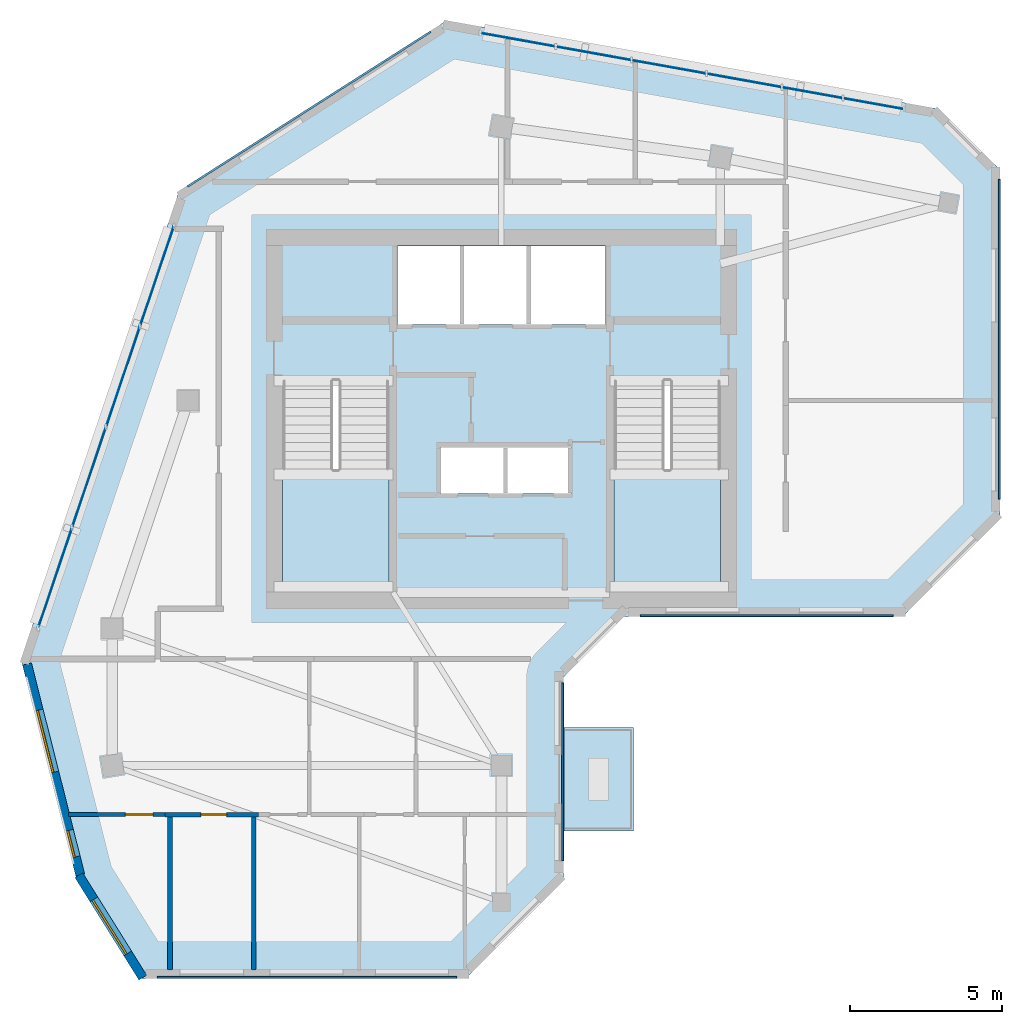
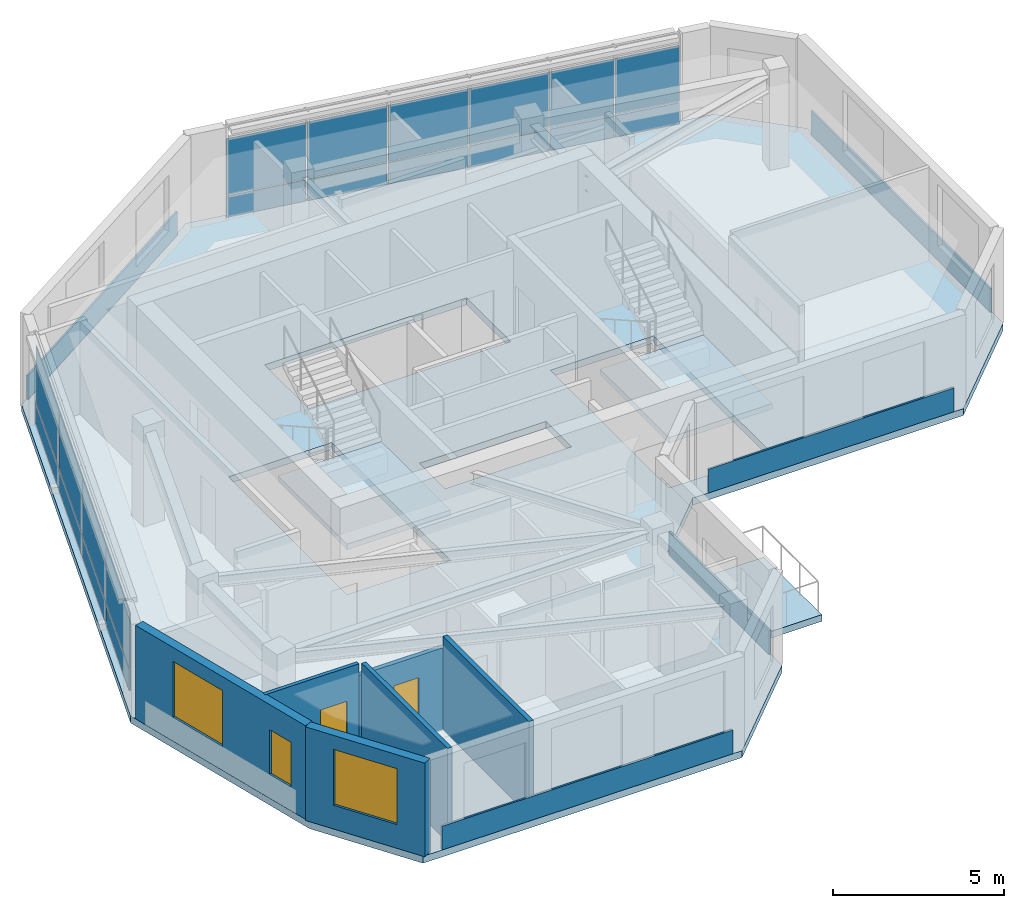
# One storey, part 2 of 8: 25 plates, 6 walls, 4 slabs, 3 windows, 2 doors, 5 openings, 4 elements without a shape of their own.
"""IFC4 building model written with IfcOpenShell, lengths in metres."""

from ifc_helpers import new_model, si_unit, direction, frame, frame_2d, origin, place, context, subcontext, project, spatial, polyline, rectangle, outline, extrude, source, transform, mapped, material, layer, layer_set, type_object, element, fill, aggregate, save


model = new_model("IFC4")

# Units and contexts
model_context = context("Model", 3, precision=1e-05, world=origin(), true_north=direction((0.0, 1.0)))
body_context = subcontext(model_context, "Body", "Model", "MODEL_VIEW")
ifc_project = project(units=[si_unit("LENGTHUNIT", "METRE"), si_unit("AREAUNIT", "SQUARE_METRE"), si_unit("VOLUMEUNIT", "CUBIC_METRE"), si_unit("PLANEANGLEUNIT", "RADIAN"), si_unit("MASSUNIT", "GRAM", prefix="KILO")], contexts=[model_context])

# Site, building, storey
site_placement = place(None, origin())
site = spatial("IfcSite", under=ifc_project, at=site_placement, CompositionType="ELEMENT")
building_placement = place(site_placement, origin())
building = spatial("IfcBuilding", under=site, at=building_placement, Name="Calvemar Wedge Station Tower", CompositionType="ELEMENT")
storey_placement = place(building_placement, frame((0.0, 0.0, 281.699951171875)))
storey = spatial("IfcBuildingStorey", under=building, at=storey_placement, Name="L72", CompositionType="ELEMENT", Elevation=281.699951171875)

# Curtain wall, plates
ifc_material_1 = material(Name="Anodised aluminium 6063-T6", Category="aluminium")
curtain_wall_type = type_object("IfcCurtainWallType", Name="CW4", PredefinedType="NOTDEFINED", material=ifc_material_1)
curtain_wall_1_placement = place(storey_placement, origin())
curtain_wall_1 = element("IfcCurtainWall", 1, at=curtain_wall_1_placement, inside=storey, type_object=curtain_wall_type, Name="Storey L72 CW4 Recessed Unitised Curtain Wall 10", PredefinedType="NOTDEFINED")
ifc_material_2 = material(Name="Low-E laminated insulated glass", Category="glass")
ifc_layer_1 = layer(ifc_material_2, 0.028076171875)
ifc_layer_set_1 = layer_set([ifc_layer_1], Name="Low-E laminated insulated glass")
plate_type_1 = type_object("IfcPlateType", Name="CW4-GLZ", PredefinedType="CURTAIN_PANEL", material=ifc_layer_set_1)
plate_1_placement = place(storey_placement, frame((37.01611328125, 50.08740234375, 0.8701171875), z_axis=(0.0, 0.0, 1.0), x_axis=(-0.984221146633, 0.176942743621, 0.0)))
plate_1 = element("IfcPlate", 2, at=plate_1_placement, type_object=plate_type_1, Name="CW4 vision glass panel 1", PredefinedType="CURTAIN_PANEL", context=body_context, shape_type="SweptSolid", body=[
    extrude(rectangle(XDim=2.001953125, YDim=0.028076171875, at=frame_2d((1.0009765625, 0.0))), origin(), (0.0, 0.0, 1.0), 2.010009765625),
])
plate_2_placement = place(storey_placement, frame((35.01025390625, 50.447998046875, 0.8701171875), z_axis=(0.0, 0.0, 1.0), x_axis=(-0.984224963901, 0.176921509244, 0.0)))
plate_2 = element("IfcPlate", 3, at=plate_2_placement, type_object=plate_type_1, Name="CW4 vision glass panel 2", PredefinedType="CURTAIN_PANEL", context=body_context, shape_type="SweptSolid", body=[
    extrude(rectangle(XDim=2.002197265625, YDim=0.028076171875, at=frame_2d((1.0009765625, 0.0))), origin(), (0.0, 0.0, 1.0), 2.010009765625),
])
plate_3_placement = place(storey_placement, frame((33.004150390625, 50.80859375, 0.8701171875), z_axis=(0.0, 0.0, 1.0), x_axis=(-0.984227258702, 0.176908742657, 0.0)))
plate_3 = element("IfcPlate", 4, at=plate_3_placement, type_object=plate_type_1, Name="CW4 vision glass panel 3", PredefinedType="CURTAIN_PANEL", context=body_context, shape_type="SweptSolid", body=[
    extrude(rectangle(XDim=2.478515625, YDim=0.028076171875, at=frame_2d((1.2392578125, 0.0))), origin(), (0.0, 0.0, 1.0), 2.010009765625),
])
plate_4_placement = place(storey_placement, frame((30.529296875, 51.25341796875, 0.8701171875), z_axis=(0.0, 0.0, 1.0), x_axis=(-0.984230341027, 0.176891593364, 0.0)))
plate_4 = element("IfcPlate", 5, at=plate_4_placement, type_object=plate_type_1, Name="CW4 vision glass panel 4", PredefinedType="CURTAIN_PANEL", context=body_context, shape_type="SweptSolid", body=[
    extrude(rectangle(XDim=2.478759765625, YDim=0.028076171875, at=frame_2d((1.2392578125, 0.0))), origin(), (0.0, 0.0, 1.0), 2.010009765625),
])
plate_5_placement = place(storey_placement, frame((28.05419921875, 51.6982421875, 0.8701171875), z_axis=(0.0, 0.0, 1.0), x_axis=(-0.984227429681, 0.176907791418, 0.0)))
plate_5 = element("IfcPlate", 6, at=plate_5_placement, type_object=plate_type_1, Name="CW4 vision glass panel 5", PredefinedType="CURTAIN_PANEL", context=body_context, shape_type="SweptSolid", body=[
    extrude(rectangle(XDim=2.48828125, YDim=0.028076171875, at=frame_2d((1.244140625, 0.0))), origin(), (0.0, 0.0, 1.0), 2.010009765625),
])
plate_6_placement = place(storey_placement, frame((25.56982421875, 52.14501953125, 0.8701171875), z_axis=(0.0, 0.0, 1.0), x_axis=(-0.984227429681, 0.176907791418, 0.0)))
plate_6 = element("IfcPlate", 7, at=plate_6_placement, type_object=plate_type_1, Name="CW4 vision glass panel 6", PredefinedType="CURTAIN_PANEL", context=body_context, shape_type="SweptSolid", body=[
    extrude(rectangle(XDim=2.48828125, YDim=0.028076171875, at=frame_2d((1.244140625, 0.0))), origin(), (0.0, 0.0, 1.0), 2.010009765625),
])

curtain_wall_2_placement = place(storey_placement, origin())
curtain_wall_2 = element("IfcCurtainWall", 8, at=curtain_wall_2_placement, inside=storey, type_object=curtain_wall_type, Name="Storey L72 CW4 Recessed Unitised Curtain Wall 12", PredefinedType="NOTDEFINED")
plate_7_placement = place(storey_placement, frame((13.0244140625, 46.223388671875, 0.8701171875), z_axis=(0.0, 0.0, 1.0), x_axis=(-0.319915894708, -0.947445945853, 0.0)))
plate_7 = element("IfcPlate", 9, at=plate_7_placement, type_object=plate_type_1, Name="CW4 vision glass panel 1", PredefinedType="CURTAIN_PANEL", context=body_context, shape_type="SweptSolid", body=[
    extrude(rectangle(XDim=3.453125, YDim=0.028076171875, at=frame_2d((1.7265625, 0.0))), origin(), (0.0, 0.0, 1.0), 2.010009765625),
])
plate_8_placement = place(storey_placement, frame((11.908203125, 42.91748046875, 0.8701171875), z_axis=(0.0, 0.0, 1.0), x_axis=(-0.319979356362, -0.947424514936, 0.0)))
plate_8 = element("IfcPlate", 10, at=plate_8_placement, type_object=plate_type_1, Name="CW4 vision glass panel 2", PredefinedType="CURTAIN_PANEL", context=body_context, shape_type="SweptSolid", body=[
    extrude(rectangle(XDim=3.453369140625, YDim=0.028076171875, at=frame_2d((1.7265625, 0.0))), origin(), (0.0, 0.0, 1.0), 2.010009765625),
])
plate_9_placement = place(storey_placement, frame((10.791748046875, 39.611572265625, 0.8701171875), z_axis=(0.0, 0.0, 1.0), x_axis=(-0.319915894708, -0.947445945853, 0.0)))
plate_9 = element("IfcPlate", 11, at=plate_9_placement, type_object=plate_type_1, Name="CW4 vision glass panel 3", PredefinedType="CURTAIN_PANEL", context=body_context, shape_type="SweptSolid", body=[
    extrude(rectangle(XDim=3.453125, YDim=0.028076171875, at=frame_2d((1.7265625, 0.0))), origin(), (0.0, 0.0, 1.0), 2.010009765625),
])
plate_10_placement = place(storey_placement, frame((9.675537109375, 36.3056640625, 0.8701171875), z_axis=(0.0, 0.0, 1.0), x_axis=(-0.319915894708, -0.947445945853, 0.0)))
plate_10 = element("IfcPlate", 12, at=plate_10_placement, type_object=plate_type_1, Name="CW4 vision glass panel 4", PredefinedType="CURTAIN_PANEL", context=body_context, shape_type="SweptSolid", body=[
    extrude(rectangle(XDim=3.453125, YDim=0.028076171875, at=frame_2d((1.7265625, 0.0))), origin(), (0.0, 0.0, 1.0), 2.010009765625),
])

# Plate
ifc_material_3 = material(Name="Oxidized bronze aluminium spandrel panel 5005-H24", Category="aluminium")
ifc_layer_2 = layer(ifc_material_3, 0.0400390625)
ifc_layer_set_2 = layer_set([ifc_layer_2], Name="Oxidized bronze aluminium spandrel panel 5005-H24")
plate_type_2 = type_object("IfcPlateType", Name="CW4-SPD", PredefinedType="SHEET", material=ifc_layer_set_2)
plate_11_placement = place(storey_placement, frame((37.01611328125, 50.08740234375, 0.080078125), z_axis=(0.0, 0.0, 1.0), x_axis=(-0.984221146633, 0.176942743621, 0.0)))
plate_11 = element("IfcPlate", 13, at=plate_11_placement, type_object=plate_type_2, Name="CW4 bronze spandrel panel 1", PredefinedType="SHEET", context=body_context, shape_type="SweptSolid", body=[
    extrude(rectangle(XDim=2.001953125, YDim=0.0400390625, at=frame_2d((1.0009765625, 0.0))), origin(), (0.0, 0.0, 1.0), 0.75),
])

plate_12_placement = place(storey_placement, frame((35.01025390625, 50.447998046875, 0.080078125), z_axis=(0.0, 0.0, 1.0), x_axis=(-0.984224963901, 0.176921509244, 0.0)))
plate_12 = element("IfcPlate", 14, at=plate_12_placement, type_object=plate_type_2, Name="CW4 bronze spandrel panel 2", PredefinedType="SHEET", context=body_context, shape_type="SweptSolid", body=[
    extrude(rectangle(XDim=2.002197265625, YDim=0.0400390625, at=frame_2d((1.0009765625, 0.0))), origin(), (0.0, 0.0, 1.0), 0.75),
])

plate_13_placement = place(storey_placement, frame((33.004150390625, 50.80859375, 0.080078125), z_axis=(0.0, 0.0, 1.0), x_axis=(-0.984227258702, 0.176908742657, 0.0)))
plate_13 = element("IfcPlate", 15, at=plate_13_placement, type_object=plate_type_2, Name="CW4 bronze spandrel panel 3", PredefinedType="SHEET", context=body_context, shape_type="SweptSolid", body=[
    extrude(rectangle(XDim=2.478515625, YDim=0.0400390625, at=frame_2d((1.2392578125, 0.0))), origin(), (0.0, 0.0, 1.0), 0.75),
])

plate_14_placement = place(storey_placement, frame((30.529296875, 51.25341796875, 0.080078125), z_axis=(0.0, 0.0, 1.0), x_axis=(-0.984230341027, 0.176891593364, 0.0)))
plate_14 = element("IfcPlate", 16, at=plate_14_placement, type_object=plate_type_2, Name="CW4 bronze spandrel panel 4", PredefinedType="SHEET", context=body_context, shape_type="SweptSolid", body=[
    extrude(rectangle(XDim=2.478759765625, YDim=0.0400390625, at=frame_2d((1.2392578125, 0.0))), origin(), (0.0, 0.0, 1.0), 0.75),
])

plate_15_placement = place(storey_placement, frame((28.05419921875, 51.6982421875, 0.080078125), z_axis=(0.0, 0.0, 1.0), x_axis=(-0.984227429681, 0.176907791418, 0.0)))
plate_15 = element("IfcPlate", 17, at=plate_15_placement, type_object=plate_type_2, Name="CW4 bronze spandrel panel 5", PredefinedType="SHEET", context=body_context, shape_type="SweptSolid", body=[
    extrude(rectangle(XDim=2.48828125, YDim=0.0400390625, at=frame_2d((1.244140625, 0.0))), origin(), (0.0, 0.0, 1.0), 0.75),
])

plate_16_placement = place(storey_placement, frame((25.56982421875, 52.14501953125, 0.080078125), z_axis=(0.0, 0.0, 1.0), x_axis=(-0.984227429681, 0.176907791418, 0.0)))
plate_16 = element("IfcPlate", 18, at=plate_16_placement, type_object=plate_type_2, Name="CW4 bronze spandrel panel 6", PredefinedType="SHEET", context=body_context, shape_type="SweptSolid", body=[
    extrude(rectangle(XDim=2.48828125, YDim=0.0400390625, at=frame_2d((1.244140625, 0.0))), origin(), (0.0, 0.0, 1.0), 0.75),
])

aggregate(curtain_wall_1, [plate_11, plate_1, plate_12, plate_2, plate_13, plate_3, plate_14, plate_4, plate_15, plate_5, plate_16, plate_6])

plate_17_placement = place(storey_placement, frame((13.0244140625, 46.223388671875, 0.080078125), z_axis=(0.0, 0.0, 1.0), x_axis=(-0.319915894708, -0.947445945853, 0.0)))
plate_17 = element("IfcPlate", 19, at=plate_17_placement, type_object=plate_type_2, Name="CW4 bronze spandrel panel 1", PredefinedType="SHEET", context=body_context, shape_type="SweptSolid", body=[
    extrude(rectangle(XDim=3.453125, YDim=0.0400390625, at=frame_2d((1.7265625, 0.0))), origin(), (0.0, 0.0, 1.0), 0.75),
])

plate_18_placement = place(storey_placement, frame((11.908203125, 42.91748046875, 0.080078125), z_axis=(0.0, 0.0, 1.0), x_axis=(-0.319979356362, -0.947424514936, 0.0)))
plate_18 = element("IfcPlate", 20, at=plate_18_placement, type_object=plate_type_2, Name="CW4 bronze spandrel panel 2", PredefinedType="SHEET", context=body_context, shape_type="SweptSolid", body=[
    extrude(rectangle(XDim=3.453369140625, YDim=0.0400390625, at=frame_2d((1.7265625, 0.0))), origin(), (0.0, 0.0, 1.0), 0.75),
])

plate_19_placement = place(storey_placement, frame((10.791748046875, 39.611572265625, 0.080078125), z_axis=(0.0, 0.0, 1.0), x_axis=(-0.319915894708, -0.947445945853, 0.0)))
plate_19 = element("IfcPlate", 21, at=plate_19_placement, type_object=plate_type_2, Name="CW4 bronze spandrel panel 3", PredefinedType="SHEET", context=body_context, shape_type="SweptSolid", body=[
    extrude(rectangle(XDim=3.453125, YDim=0.0400390625, at=frame_2d((1.7265625, 0.0))), origin(), (0.0, 0.0, 1.0), 0.75),
])

plate_20_placement = place(storey_placement, frame((9.675537109375, 36.3056640625, 0.080078125), z_axis=(0.0, 0.0, 1.0), x_axis=(-0.319915894708, -0.947445945853, 0.0)))
plate_20 = element("IfcPlate", 22, at=plate_20_placement, type_object=plate_type_2, Name="CW4 bronze spandrel panel 4", PredefinedType="SHEET", context=body_context, shape_type="SweptSolid", body=[
    extrude(rectangle(XDim=3.453125, YDim=0.0400390625, at=frame_2d((1.7265625, 0.0))), origin(), (0.0, 0.0, 1.0), 0.75),
])

aggregate(curtain_wall_2, [plate_17, plate_7, plate_18, plate_8, plate_19, plate_9, plate_20, plate_10])

# Plates
ifc_material_4 = material(Name="Precast concrete C45", Category="concrete")
ifc_layer_3 = layer(ifc_material_4, 0.06494140625)
ifc_layer_set_3 = layer_set([ifc_layer_3], Name="Precast concrete C45")
plate_type_3 = type_object("IfcPlateType", Name="PL-GFRC-FIN", PredefinedType="USERDEFINED", material=ifc_layer_set_3)
plate_21_placement = place(storey_placement, frame((12.48583984375, 21.530029296875, 0.0), z_axis=(0.0, 0.0, 1.0), x_axis=(1.0, 0.0, 0.0)))
element("IfcPlate", 23, at=plate_21_placement, inside=storey, type_object=plate_type_3, Name="Storey L72 Oxidized-Bronze GFRC Spandrel Cladding 2", ObjectType="CLADDING PANEL", PredefinedType="USERDEFINED", context=body_context, shape_type="SweptSolid", body=[
    extrude(rectangle(XDim=9.842041015625, YDim=0.06494140625, at=frame_2d((4.9208984375, 0.0))), origin(), (0.0, 0.0, 1.0), 0.85009765625),
])
plate_22_placement = place(storey_placement, frame((25.81005859375, 25.357421875, 0.0), z_axis=(0.0, 0.0, 1.0), x_axis=(0.0, 1.0, 0.0)))
element("IfcPlate", 24, at=plate_22_placement, inside=storey, type_object=plate_type_3, Name="Storey L72 Oxidized-Bronze GFRC Spandrel Cladding 4", ObjectType="CLADDING PANEL", PredefinedType="USERDEFINED", context=body_context, shape_type="SweptSolid", body=[
    extrude(rectangle(XDim=5.854736328125, YDim=0.06494140625, at=frame_2d((2.92724609375, 0.0))), origin(), (0.0, 0.0, 1.0), 0.85009765625),
])
plate_23_placement = place(storey_placement, frame((28.373046875, 33.429931640625, 0.0), z_axis=(0.0, 0.0, 1.0), x_axis=(1.0, 0.0, 0.0)))
element("IfcPlate", 25, at=plate_23_placement, inside=storey, type_object=plate_type_3, Name="Storey L72 Oxidized-Bronze GFRC Spandrel Cladding 6", ObjectType="CLADDING PANEL", PredefinedType="USERDEFINED", context=body_context, shape_type="SweptSolid", body=[
    extrude(rectangle(XDim=8.31494140625, YDim=0.06494140625, at=frame_2d((4.157470703125, 0.0))), origin(), (0.0, 0.0, 1.0), 0.85009765625),
])
plate_24_placement = place(storey_placement, frame((40.169921875, 37.25732421875, 0.0), z_axis=(0.0, 0.0, 1.0), x_axis=(0.0, 1.0, 0.0)))
element("IfcPlate", 26, at=plate_24_placement, inside=storey, type_object=plate_type_3, Name="Storey L72 Oxidized-Bronze GFRC Spandrel Cladding 8", ObjectType="CLADDING PANEL", PredefinedType="USERDEFINED", context=body_context, shape_type="SweptSolid", body=[
    extrude(rectangle(XDim=10.5185546875, YDim=0.06494140625, at=frame_2d((5.25927734375, 0.0))), origin(), (0.0, 0.0, 1.0), 0.85009765625),
])
plate_25_placement = place(storey_placement, frame((21.470947265625, 52.627685546875, 0.0), z_axis=(0.0, 0.0, 1.0), x_axis=(-0.843666788961, -0.5368671616, 0.0)))
element("IfcPlate", 27, at=plate_25_placement, inside=storey, type_object=plate_type_3, Name="Storey L72 Oxidized-Bronze GFRC Spandrel Cladding 11", ObjectType="CLADDING PANEL", PredefinedType="USERDEFINED", context=body_context, shape_type="SweptSolid", body=[
    extrude(rectangle(XDim=9.4814453125, YDim=0.06494140625, at=frame_2d((4.74072265625, 0.0))), origin(), (0.0, 0.0, 1.0), 0.85009765625),
])

# Stair, slab
ifc_material_5 = material(Name="Concrete C45", Category="concrete")
stair_type = type_object("IfcStairType", Name="ST-TYPE-3600", PredefinedType="HALF_TURN_STAIR", material=ifc_material_5)
stair_1_placement = place(storey_placement, origin())
stair_1 = element("IfcStair", 28, at=stair_1_placement, inside=storey, type_object=stair_type, Name="L72 Pressurized Core Exit Stair ST-C1", PredefinedType="HALF_TURN_STAIR")
ifc_layer_4 = layer(ifc_material_5, 0.199951171875)
ifc_layer_set_4 = layer_set([ifc_layer_4], Name="Concrete C45")
slab_type_1 = type_object("IfcSlabType", Name="SL-STAIR-LND-200", PredefinedType="LANDING", material=ifc_layer_set_4)
slab_1_placement = place(storey_placement, frame((0.0, 0.0, 1.60009765625)))
slab_1 = element("IfcSlab", 29, at=slab_1_placement, type_object=slab_type_1, Name="ST-C1 landing 1", PredefinedType="LANDING", context=body_context, shape_type="SweptSolid", body=[
    extrude(outline(polyline([(16.60009765625, 38.25), (16.60009765625, 34.199951171875), (20.10009765625, 34.199951171875), (20.10009765625, 38.25), (16.60009765625, 38.25)])), origin(), (0.0, 0.0, 1.0), 0.199951171875),
])
aggregate(stair_1, [slab_1])

stair_2_placement = place(storey_placement, origin())
stair_2 = element("IfcStair", 30, at=stair_2_placement, inside=storey, type_object=stair_type, Name="L72 Pressurized Core Exit Stair ST-C2", PredefinedType="HALF_TURN_STAIR")
slab_2_placement = place(storey_placement, frame((0.0, 0.0, 1.60009765625)))
slab_2 = element("IfcSlab", 31, at=slab_2_placement, type_object=slab_type_1, Name="ST-C2 landing 1", PredefinedType="LANDING", context=body_context, shape_type="SweptSolid", body=[
    extrude(outline(polyline([(27.5, 38.25), (27.5, 34.199951171875), (31.0, 34.199951171875), (31.0, 38.25), (27.5, 38.25)])), origin(), (0.0, 0.0, 1.0), 0.199951171875),
])
aggregate(stair_2, [slab_2])

# Slabs
ifc_layer_5 = layer(ifc_material_5, 0.239990234375)
ifc_layer_set_5 = layer_set([ifc_layer_5], Name="Concrete C45")
slab_type_2 = type_object("IfcSlabType", Name="SL-TERR-240", PredefinedType="FLOOR", material=ifc_layer_set_5)
slab_3_placement = place(storey_placement, frame((0.0, 0.0, -0.239990234375)))
element("IfcSlab", 32, at=slab_3_placement, inside=storey, type_object=slab_type_2, Name="Storey L72 Planted Spiral Terrace Slab", PredefinedType="FLOOR", context=body_context, shape_type="SweptSolid", body=[
    extrude(outline(polyline([(25.840087890625, 26.35009765625), (28.139892578125, 26.35009765625), (28.139892578125, 29.75), (25.840087890625, 29.75), (25.840087890625, 26.35009765625)])), origin(), (0.0, 0.0, 1.0), 0.239990234375),
])
ifc_material_6 = material(Name="Concrete C50", Category="concrete")
ifc_layer_6 = layer(ifc_material_6, 0.25)
ifc_layer_set_6 = layer_set([ifc_layer_6], Name="Concrete C50")
slab_type_3 = type_object("IfcSlabType", Name="SL-TYP-250", PredefinedType="FLOOR", material=ifc_layer_set_6)
slab_4_placement = place(storey_placement, frame((0.0, 0.0, -0.25)))
element("IfcSlab", 33, at=slab_4_placement, inside=storey, type_object=slab_type_3, Name="Storey L72 Structural Floor Slab", PredefinedType="FLOOR", context=body_context, shape_type="SweptSolid", body=[
    extrude(outline(polyline([(8.0, 32.0), (9.840087890625, 24.699951171875), (11.840087890625, 21.5), (22.639892578125, 21.5), (25.840087890625, 24.699951171875), (25.840087890625, 31.39990234375), (27.840087890625, 33.39990234375), (37.0, 33.39990234375), (40.199951171875, 36.60009765625), (40.199951171875, 48.087890625), (38.199951171875, 50.087890625), (22.0, 53.0), (13.199951171875, 47.39990234375), (8.0, 32.0)]), holes=[polyline([(20.10009765625, 34.199951171875), (20.10009765625, 41.14990234375), (16.60009765625, 41.14990234375), (16.60009765625, 34.199951171875), (20.10009765625, 34.199951171875)]), polyline([(31.0, 34.199951171875), (31.0, 41.14990234375), (27.5, 41.14990234375), (27.5, 34.199951171875), (31.0, 34.199951171875)]), polyline([(23.929931640625, 38.949951171875), (21.7900390625, 38.949951171875), (21.7900390625, 37.449951171875), (23.929931640625, 37.449951171875), (23.93994140625, 37.449951171875), (26.080078125, 37.449951171875), (26.080078125, 38.949951171875), (23.93994140625, 38.949951171875), (23.929931640625, 38.949951171875)]), polyline([(27.219970703125, 43.0), (27.219970703125, 45.580078125), (20.3798828125, 45.580078125), (20.3798828125, 43.0), (27.219970703125, 43.0)])]), origin(), (0.0, 0.0, 1.0), 0.25),
])

# Wall, opening, window
ifc_layer_7 = layer(ifc_material_4, 0.300048828125)
ifc_layer_set_7 = layer_set([ifc_layer_7], Name="Precast concrete C45")
wall_type_1 = type_object("IfcWallType", Name="W-EXT-GFRC-300", PredefinedType="SOLIDWALL", material=ifc_layer_set_7)
wall_1_placement = place(storey_placement, frame((9.900146484375, 24.88671875, 0.0), z_axis=(0.0, 0.0, 1.0), x_axis=(0.530004471907, -0.84799484654, 0.0)))
wall_1 = element("IfcWall", 34, at=wall_1_placement, inside=storey, type_object=wall_type_1, Name="Storey L72 Bronze GFRC Exterior Wall 1", PredefinedType="SOLIDWALL", context=body_context, shape_type="SweptSolid", body=[
    extrude(rectangle(XDim=3.967041015625, YDim=0.300048828125, at=frame_2d((1.9833984375, 0.0))), origin(), (0.0, 0.0, 1.0), 3.35009765625),
])
shared_shape_1 = source(origin(), body_context, "Body", "SweptSolid", [
    extrude(rectangle(XDim=2.10009765625, YDim=2.0, at=frame_2d((1.050048828125, 1.0))), frame((0.0, 0.16015625, 0.0), z_axis=(0.0, -1.0, 0.0), x_axis=(1.0, 0.0, 0.0)), (0.0, 0.0, 1.0), 0.320068359375),
])
opening_1_placement = place(wall_1_placement, frame((0.93310546875, 0.0, 0.85009765625)))
opening_1 = element("IfcOpeningElement", 35, at=opening_1_placement, cuts=wall_1, Name="Opening W4", PredefinedType="OPENING", context=body_context, shape_type="MappedRepresentation", body=[
    mapped(shared_shape_1, transform((0.0, 0.0, 0.0), scale=1.0)),
])
window_type_1 = type_object("IfcWindowType", Name="WIN-EXT-4", PartitioningType="SINGLE_PANEL", PredefinedType="WINDOW", material=ifc_material_2)
shared_shape_2 = source(origin(), body_context, "Body", "SweptSolid", [
    extrude(rectangle(XDim=2.10009765625, YDim=2.0, at=frame_2d((1.050048828125, 1.0))), frame((0.0, -0.014892578125, 0.0), z_axis=(0.0, -1.0, 0.0), x_axis=(1.0, 0.0, 0.0)), (0.0, 0.0, 1.0), 0.06005859375),
])
window_1_placement = place(opening_1_placement, origin())
window_1 = element("IfcWindow", 36, at=window_1_placement, inside=storey, type_object=window_type_1, Name="Storey L72 Recessed Window 1.1", OverallHeight=2.0, OverallWidth=2.10009765625, PartitioningType="SINGLE_PANEL", PredefinedType="WINDOW", context=body_context, shape_type="MappedRepresentation", body=[
    mapped(shared_shape_2, transform((0.0, 0.0, 0.0), scale=1.0)),
])
fill(opening_1, window_1)

# Wall, openings, windows
wall_2_placement = place(storey_placement, frame((8.1962890625, 31.834716796875, 0.0), z_axis=(0.0, 0.0, 1.0), x_axis=(0.244430846523, -0.969666726906, 0.0)))
wall_2 = element("IfcWall", 37, at=wall_2_placement, inside=storey, type_object=wall_type_1, Name="Storey L72 Bronze GFRC Exterior Wall 13", PredefinedType="SOLIDWALL", context=body_context, shape_type="SweptSolid", body=[
    extrude(rectangle(XDim=7.151611328125, YDim=0.300048828125, at=frame_2d((3.57568359375, 0.0))), origin(), (0.0, 0.0, 1.0), 3.35009765625),
])
opening_2_placement = place(wall_2_placement, frame((1.568115234375, 0.0, 0.85009765625)))
opening_2 = element("IfcOpeningElement", 38, at=opening_2_placement, cuts=wall_2, Name="Opening W4", PredefinedType="OPENING", context=body_context, shape_type="MappedRepresentation", body=[
    mapped(shared_shape_1, transform((0.0, 0.0, 0.0), scale=1.0)),
])
shared_shape_3 = source(origin(), body_context, "Body", "SweptSolid", [
    extrude(rectangle(XDim=0.89990234375, YDim=1.60009765625, at=frame_2d((0.449951171875, 0.800048828125))), frame((0.0, 0.16015625, 0.0), z_axis=(0.0, -1.0, 0.0), x_axis=(1.0, 0.0, 0.0)), (0.0, 0.0, 1.0), 0.320068359375),
])
opening_3_placement = place(wall_2_placement, frame((5.64306640625, 0.0, 0.85009765625)))
opening_3 = element("IfcOpeningElement", 39, at=opening_3_placement, cuts=wall_2, Name="Opening W7", PredefinedType="OPENING", context=body_context, shape_type="MappedRepresentation", body=[
    mapped(shared_shape_3, transform((0.0, 0.0, 0.0), scale=1.0)),
])
window_2_placement = place(opening_2_placement, origin())
window_2 = element("IfcWindow", 40, at=window_2_placement, inside=storey, type_object=window_type_1, Name="Storey L72 Recessed Window 13.1", OverallHeight=2.0, OverallWidth=2.10009765625, PartitioningType="SINGLE_PANEL", PredefinedType="WINDOW", context=body_context, shape_type="MappedRepresentation", body=[
    mapped(shared_shape_2, transform((0.0, 0.0, 0.0), scale=1.0)),
])
fill(opening_2, window_2)
window_type_2 = type_object("IfcWindowType", Name="WIN-EXT-7", PartitioningType="SINGLE_PANEL", PredefinedType="WINDOW", material=ifc_material_2)
shared_shape_4 = source(origin(), body_context, "Body", "SweptSolid", [
    extrude(rectangle(XDim=0.89990234375, YDim=1.60009765625, at=frame_2d((0.449951171875, 0.800048828125))), frame((0.0, -0.014892578125, 0.0), z_axis=(0.0, -1.0, 0.0), x_axis=(1.0, 0.0, 0.0)), (0.0, 0.0, 1.0), 0.06005859375),
])
window_3_placement = place(opening_3_placement, origin())
window_3 = element("IfcWindow", 41, at=window_3_placement, inside=storey, type_object=window_type_2, Name="Storey L72 Recessed Window 13.2", OverallHeight=1.60009765625, OverallWidth=0.89990234375, PartitioningType="SINGLE_PANEL", PredefinedType="WINDOW", context=body_context, shape_type="MappedRepresentation", body=[
    mapped(shared_shape_4, transform((0.0, 0.0, 0.0), scale=1.0)),
])
fill(opening_3, window_3)

# Wall, opening, door
ifc_material_7 = material(Name="Insulated acoustic gypsum stud partition")
ifc_layer_8 = layer(ifc_material_7, 0.125)
ifc_layer_set_8 = layer_set([ifc_layer_8], Name="Insulated acoustic gypsum stud partition")
wall_type_2 = type_object("IfcWallType", Name="W-PART-125", PredefinedType="PARTITIONING", material=ifc_layer_set_8)
wall_3_placement = place(storey_placement, frame((12.738037109375, 26.883056640625, 0.0), z_axis=(0.0, 0.0, 1.0), x_axis=(-1.0, 0.0, 0.0)))
wall_3 = element("IfcWall", 42, at=wall_3_placement, inside=storey, type_object=wall_type_2, Name="Storey L72 Interior Partition WL-L72-030", PredefinedType="PARTITIONING", context=body_context, shape_type="SweptSolid", body=[
    extrude(rectangle(XDim=3.175048828125, YDim=0.125, at=frame_2d((1.58740234375, 0.0))), origin(), (0.0, 0.0, 1.0), 3.35009765625),
])
shared_shape_5 = source(origin(), body_context, "Body", "SweptSolid", [
    extrude(rectangle(XDim=0.89990234375, YDim=2.14990234375, at=frame_2d((0.449951171875, 1.074951171875))), frame((0.0, 0.072509765625, 0.0), z_axis=(0.0, -1.0, 0.0), x_axis=(1.0, 0.0, 0.0)), (0.0, 0.0, 1.0), 0.14501953125),
])
opening_4_placement = place(wall_3_placement, frame((0.402587890625, 0.0, 0.0)))
opening_4 = element("IfcOpeningElement", 43, at=opening_4_placement, cuts=wall_3, Name="Opening D-01", PredefinedType="OPENING", context=body_context, shape_type="MappedRepresentation", body=[
    mapped(shared_shape_5, transform((0.0, 0.0, 0.0), scale=1.0)),
])
ifc_material_8 = material(Name="Architectural hardwood acoustic swing door", Category="wood")
door_type_1 = type_object("IfcDoorType", Name="DR-INT-900", OperationType="NOTDEFINED", PredefinedType="DOOR", material=ifc_material_8)
shared_shape_6 = source(origin(), body_context, "Body", "SweptSolid", [
    extrude(rectangle(XDim=0.89990234375, YDim=2.14990234375, at=frame_2d((0.449951171875, 1.074951171875))), frame((0.0, 0.02490234375, 0.0), z_axis=(0.0, -1.0, 0.0), x_axis=(1.0, 0.0, 0.0)), (0.0, 0.0, 1.0), 0.050048828125),
])
door_1_placement = place(opening_4_placement, origin())
door_1 = element("IfcDoor", 44, at=door_1_placement, inside=storey, type_object=door_type_1, Name="L72 Bedroom Door", OperationType="SINGLE_SWING_RIGHT", OverallHeight=2.14990234375, OverallWidth=0.89990234375, PredefinedType="DOOR", context=body_context, shape_type="MappedRepresentation", body=[
    mapped(shared_shape_6, transform((0.0, 0.0, 0.0), scale=1.0)),
])
fill(opening_4, door_1)

ifc_material_9 = material(Name="Moisture-resistant acoustic bathroom partition")
ifc_layer_9 = layer(ifc_material_9, 0.14990234375)
ifc_layer_set_9 = layer_set([ifc_layer_9], Name="Moisture-resistant acoustic bathroom partition")
wall_type_3 = type_object("IfcWallType", Name="W-WET-150", PredefinedType="PARTITIONING", material=ifc_layer_set_9)
wall_4_placement = place(storey_placement, frame((15.81005859375, 26.883056640625, 0.0), z_axis=(0.0, 0.0, 1.0), x_axis=(-1.0, 0.0, 0.0)))
wall_4 = element("IfcWall", 45, at=wall_4_placement, inside=storey, type_object=wall_type_3, Name="Storey L72 Interior Partition WL-L72-029", PredefinedType="PARTITIONING", context=body_context, shape_type="SweptSolid", body=[
    extrude(rectangle(XDim=3.070068359375, YDim=0.14990234375, at=frame_2d((1.53515625, 0.0))), origin(), (0.0, 0.0, 1.0), 2.93505859375),
])
shared_shape_7 = source(origin(), body_context, "Body", "SweptSolid", [
    extrude(rectangle(XDim=0.85009765625, YDim=2.14990234375, at=frame_2d((0.425048828125, 1.074951171875))), frame((0.0, 0.0849609375, 0.0), z_axis=(0.0, -1.0, 0.0), x_axis=(1.0, 0.0, 0.0)), (0.0, 0.0, 1.0), 0.169921875),
])
opening_5_placement = place(wall_4_placement, frame((1.046142578125, 0.0, 0.0)))
opening_5 = element("IfcOpeningElement", 46, at=opening_5_placement, cuts=wall_4, Name="Opening D-02", PredefinedType="OPENING", context=body_context, shape_type="MappedRepresentation", body=[
    mapped(shared_shape_7, transform((0.0, 0.0, 0.0), scale=1.0)),
])
ifc_material_10 = material(Name="Moisture-sealed bathroom hardwood swing door", Category="wood")
door_type_2 = type_object("IfcDoorType", Name="DR-WET-850", OperationType="NOTDEFINED", PredefinedType="DOOR", material=ifc_material_10)
shared_shape_8 = source(origin(), body_context, "Body", "SweptSolid", [
    extrude(rectangle(XDim=0.85009765625, YDim=2.14990234375, at=frame_2d((0.425048828125, 1.074951171875))), frame((0.0, 0.02490234375, 0.0), z_axis=(0.0, -1.0, 0.0), x_axis=(1.0, 0.0, 0.0)), (0.0, 0.0, 1.0), 0.050048828125),
])
door_2_placement = place(opening_5_placement, origin())
door_2 = element("IfcDoor", 47, at=door_2_placement, inside=storey, type_object=door_type_2, Name="L72 Bathroom Door", OperationType="SINGLE_SWING_LEFT", OverallHeight=2.14990234375, OverallWidth=0.85009765625, PredefinedType="DOOR", context=body_context, shape_type="MappedRepresentation", body=[
    mapped(shared_shape_8, transform((0.0, 0.0, 0.0), scale=1.0)),
])
fill(opening_5, door_2)

# Walls
for number, where, z_axis, x_axis, name in (
    (48, (12.89990234375, 21.764892578125, 0.0), (0.0, 0.0, 1.0), (0.0, 1.0, 0.0), "Storey L72 Interior Partition WL-L72-034"),
    (49, (15.64990234375, 26.803955078125, 0.0), (0.0, 0.0, 1.0), (0.0, -1.0, 0.0), "Storey L72 Interior Partition WL-L72-035"),
):
    element("IfcWall", number, at=place(storey_placement, frame(where, z_axis=z_axis, x_axis=x_axis)), inside=storey, type_object=wall_type_3, Name=name, PredefinedType="PARTITIONING", context=body_context, shape_type="SweptSolid", body=[
        extrude(rectangle(XDim=5.0390625, YDim=0.14990234375, at=frame_2d((2.51953125, 0.0))), origin(), (0.0, 0.0, 1.0), 3.35009765625),
    ])

save(model, "model.ifc")
